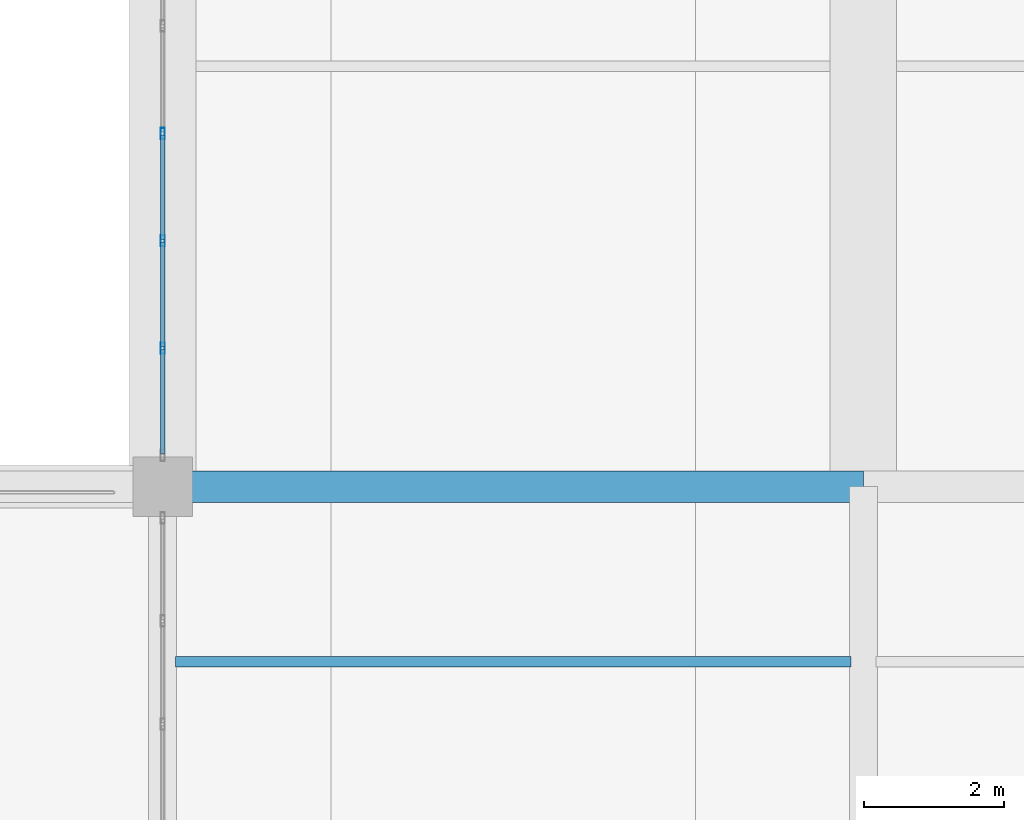
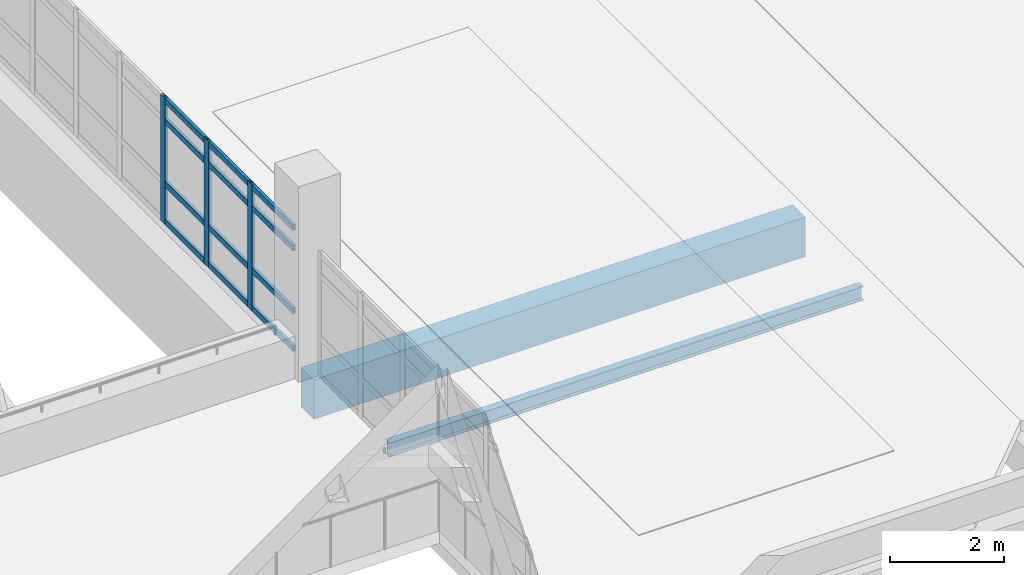
# One storey, part 41 of 161: 16 members, 1 beam, 1 element without a shape of its own.
"""IFC4 building model written with IfcOpenShell, lengths in metres."""

import ifcopenshell
import ifcopenshell.guid

model = None  # the IFC model being written
_history = None  # IfcOwnerHistory: only IFC2X3 demands one
_inside = {}  # id of a spatial element -> (the spatial element, [elements in it])
_under = {}  # id of a project, library or spatial element -> (it, [spatial elements below it])
_declared = {}  # id of a project -> (the project, [libraries it declares])
_typed = {}  # id of a type object -> (the type object, [elements of that type])
_made_of = {}  # id of a material, layer set ... -> (it, [elements and type objects made of it])


def new_model(schema):
    """Start an empty IFC model of exactly this schema.

    Asked for "IFC4X3", IfcOpenShell would pick the latest addendum, in which some entities
    have other attributes; the version numbers below select the first issue.
    IFC2X3 requires an IfcOwnerHistory on every rooted entity: one is made here for all.
    """
    global model, _history
    if schema == "IFC4X3":
        model = ifcopenshell.file(schema_version=(4, 3, 0, 0))
    else:
        model = ifcopenshell.file(schema=schema)
    _inside.clear()
    _under.clear()
    _declared.clear()
    _typed.clear()
    _made_of.clear()
    _history = None
    if model.schema == "IFC2X3":
        org = make("IfcOrganization", Name="unknown")
        user = make(
            "IfcPersonAndOrganization",
            ThePerson=make("IfcPerson", FamilyName="unknown"),
            TheOrganization=org,
        )
        app = make(
            "IfcApplication",
            ApplicationDeveloper=org,
            Version="unknown",
            ApplicationFullName="unknown",
            ApplicationIdentifier="unknown",
        )
        _history = make(
            "IfcOwnerHistory",
            OwningUser=user,
            OwningApplication=app,
            ChangeAction="ADDED",
            CreationDate=0,
        )
    return model


def make(cls, **values):
    """One entity of the class cls with the attributes given. An attribute that is None is left unset."""
    return model.create_entity(
        cls, **{name: value for name, value in values.items() if value is not None}
    )


def rooted(cls, **values):
    """An entity with a GlobalId (a new one), such as an element, a storey or a relation."""
    return make(cls, GlobalId=ifcopenshell.guid.new(), OwnerHistory=_history, **values)


def si_unit(unit_type, name, prefix=None):
    """IfcSIUnit, for example si_unit("LENGTHUNIT", "METRE", prefix="MILLI")."""
    return make("IfcSIUnit", UnitType=unit_type, Prefix=prefix, Name=name)


def assignment(units):
    """IfcUnitAssignment: the units of a project."""
    return None if units is None else make("IfcUnitAssignment", Units=units)


def point(xyz):
    """IfcCartesianPoint."""
    return None if xyz is None else make("IfcCartesianPoint", Coordinates=xyz)


def direction(xyz):
    """IfcDirection."""
    return None if xyz is None else make("IfcDirection", DirectionRatios=xyz)


def frame(location, z_axis=None, x_axis=None):
    """IfcAxis2Placement3D, a coordinate frame: its origin and axes. An axis left out is left unset."""
    return make(
        "IfcAxis2Placement3D",
        Location=point(location),
        Axis=direction(z_axis),
        RefDirection=direction(x_axis),
    )


def frame_2d(location, x_axis=None):
    """IfcAxis2Placement2D, a coordinate frame in the plane: its origin and x axis."""
    return make(
        "IfcAxis2Placement2D", Location=point(location), RefDirection=direction(x_axis)
    )


def origin():
    """The frame at (0, 0, 0) with its axes left unset."""
    return frame((0.0, 0.0, 0.0))


def origin_2d():
    """The frame at (0, 0) in the plane with its x axis left unset."""
    return frame_2d((0.0, 0.0))


def place(relative_to, where):
    """IfcLocalPlacement: puts the frame where relative to a parent placement (None: the world)."""
    return make(
        "IfcLocalPlacement", PlacementRelTo=relative_to, RelativePlacement=where
    )


def context(
    kind, dimensions, precision=None, world=None, true_north=None, identifier=None
):
    """IfcGeometricRepresentationContext, for example the 3D "Model" context."""
    return make(
        "IfcGeometricRepresentationContext",
        ContextIdentifier=identifier,
        ContextType=kind,
        CoordinateSpaceDimension=dimensions,
        Precision=precision,
        WorldCoordinateSystem=world,
        TrueNorth=true_north,
    )


def subcontext(parent, identifier, kind, view, scale=None):
    """IfcGeometricRepresentationSubContext, for example "Body" below "Model"."""
    return make(
        "IfcGeometricRepresentationSubContext",
        ContextIdentifier=identifier,
        ContextType=kind,
        ParentContext=parent,
        TargetScale=scale,
        TargetView=view,
    )


def project(units=None, contexts=None):
    """IfcProject with its units and contexts."""
    return rooted(
        "IfcProject",
        Name="project",
        RepresentationContexts=contexts,
        UnitsInContext=assignment(units),
    )


def spatial(cls, under=None, at=None, **own):
    """A site, building, storey or space (cls), placed at a placement, below another one or the project."""
    s = rooted(cls, ObjectPlacement=at, **own)
    if under is not None:
        _under.setdefault(under.id(), (under, []))[1].append(s)
    return s


def profile(cls, at=None, kind="AREA", **sizes):
    """A parametric profile (cls). Its sizes go by their IFC names, for example OverallWidth=200.0."""
    return make(cls, ProfileType=kind, Position=at, **sizes)


def rectangle(**sizes):
    """IfcRectangleProfileDef."""
    return profile("IfcRectangleProfileDef", **sizes)


def hollow_rectangle(**sizes):
    """IfcRectangleHollowProfileDef."""
    return profile("IfcRectangleHollowProfileDef", **sizes)


def i_section(**sizes):
    """IfcIShapeProfileDef."""
    return profile("IfcIShapeProfileDef", **sizes)


def extrude(swept, where, along, depth):
    """IfcExtrudedAreaSolid: the profile swept, set in the frame where, extruded along a direction by depth."""
    return make(
        "IfcExtrudedAreaSolid",
        SweptArea=swept,
        Position=where,
        ExtrudedDirection=direction(along),
        Depth=depth,
    )


def shape(context_of_items, identifier, shape_type, items):
    """IfcShapeRepresentation: the items that make up one representation, for example the "Body"."""
    return make(
        "IfcShapeRepresentation",
        ContextOfItems=context_of_items,
        RepresentationIdentifier=identifier,
        RepresentationType=shape_type,
        Items=items,
    )


def material(Name=None, Category=None):
    """IfcMaterial."""
    return make("IfcMaterial", Name=Name, Category=Category)


def layer(
    of_material, thickness, ventilated=None, Name=None, Category=None, Priority=None
):
    """IfcMaterialLayer: one layer of a wall or slab, of a material (None: an air gap)."""
    return make(
        "IfcMaterialLayer",
        Material=of_material,
        LayerThickness=thickness,
        IsVentilated=ventilated,
        Name=Name,
        Category=Category,
        Priority=Priority,
    )


def layer_set(layers, Name=None):
    """IfcMaterialLayerSet."""
    return make("IfcMaterialLayerSet", MaterialLayers=layers, LayerSetName=Name)


def material_profile(
    of_material, cross_section, Name=None, Category=None, Priority=None
):
    """IfcMaterialProfile: a cross section and its material."""
    return make(
        "IfcMaterialProfile",
        Name=Name,
        Material=of_material,
        Profile=cross_section,
        Priority=Priority,
        Category=Category,
    )


def profile_set(profiles, Name=None, composite=None):
    """IfcMaterialProfileSet."""
    return make(
        "IfcMaterialProfileSet",
        Name=Name,
        MaterialProfiles=profiles,
        CompositeProfile=composite,
    )


def made_of(thing, what):
    """Note that an element or type object is made of a material, layer set ...; save() writes the relation."""
    if what is not None:
        _made_of.setdefault(what.id(), (what, []))[1].append(thing)
    return thing


def type_object(cls, material=None, **own):
    """A type object (cls), such as IfcWallType, which elements share."""
    return made_of(rooted(cls, **own), material)


def element(
    cls,
    number,
    at=None,
    inside=None,
    cuts=None,
    type_object=None,
    material=None,
    context=None,
    identifier="Body",
    shape_type=None,
    held_by="IfcProductDefinitionShape",
    body=None,
    shapes=None,
    **own,
):
    """One element of the class cls, such as IfcWall. Its Tag is "e" and its number.

    at: its placement. inside: the storey or other place that contains it. cuts: it is an
    opening in that element (IfcRelVoidsElement). A single representation is given by context,
    identifier, shape_type and body (its items); several are given by shapes. held_by: the class
    of the entity that holds the representations. save() writes the other relations.
    """
    e = rooted(cls, Tag="e%d" % number, ObjectPlacement=at, **own)
    if body is not None:
        shapes = [shape(context, identifier, shape_type, body)]
    if shapes is not None:
        e.Representation = make(held_by, Representations=shapes)
    if inside is not None:
        _inside.setdefault(inside.id(), (inside, []))[1].append(e)
    if cuts is not None:
        rooted(
            "IfcRelVoidsElement", RelatingBuildingElement=cuts, RelatedOpeningElement=e
        )
    if type_object is not None:
        _typed.setdefault(type_object.id(), (type_object, []))[1].append(e)
    return made_of(e, material)


def aggregate(whole, parts):
    """IfcRelAggregates: a whole, such as a stair, and the parts it consists of."""
    return rooted("IfcRelAggregates", RelatingObject=whole, RelatedObjects=parts)


def save(model, path):
    """Write the relations noted so far, then the file.

    IfcRelAggregates (storeys below a building ...), IfcRelContainedInSpatialStructure (elements
    in a storey), IfcRelDefinesByType, IfcRelAssociatesMaterial and IfcRelDeclares: one each for
    every whole, place, type object, material and project.
    """
    for whole, parts in _under.values():
        aggregate(whole, parts)
    for where, things in _inside.values():
        rooted(
            "IfcRelContainedInSpatialStructure",
            RelatedElements=things,
            RelatingStructure=where,
        )
    for kind, things in _typed.values():
        rooted("IfcRelDefinesByType", RelatedObjects=things, RelatingType=kind)
    for what, things in _made_of.values():
        rooted("IfcRelAssociatesMaterial", RelatedObjects=things, RelatingMaterial=what)
    for by, libraries in _declared.values():
        rooted("IfcRelDeclares", RelatingContext=by, RelatedDefinitions=libraries)
    model.write(path)


model = new_model("IFC4")

# Units and contexts
model_context = context("Model", 3, precision=1e-05, world=origin(), true_north=direction((0.0, 1.0)))
body_context = subcontext(model_context, "Body", "Model", "MODEL_VIEW")
ifc_project = project(units=[si_unit("LENGTHUNIT", "METRE"), si_unit("AREAUNIT", "SQUARE_METRE"), si_unit("VOLUMEUNIT", "CUBIC_METRE"), si_unit("PLANEANGLEUNIT", "RADIAN"), si_unit("MASSUNIT", "GRAM", prefix="KILO")], contexts=[model_context])

# Site, building, storey
site_placement = place(None, origin())
site = spatial("IfcSite", under=ifc_project, at=site_placement, CompositionType="ELEMENT")
building_placement = place(site_placement, origin())
building = spatial("IfcBuilding", under=site, at=building_placement, Name="Mersad Railyard Sports Hall", CompositionType="ELEMENT")
storey_placement = place(building_placement, frame((0.0, 0.0, 4.800048828125)))
storey = spatial("IfcBuildingStorey", under=building, at=storey_placement, Name="L01", CompositionType="ELEMENT", Elevation=4.800048828125)

# Curtain wall, members
ifc_material_1 = material(Name="Aluminium 6063-T6", Category="aluminium")
ifc_layer = layer(ifc_material_1, 0.159912109375)
ifc_layer_set = layer_set([ifc_layer], Name="Aluminium 6063-T6")
curtain_wall_type = type_object("IfcCurtainWallType", Name="ARC-CW-CW05", PredefinedType="USERDEFINED", material=ifc_layer_set)
curtain_wall_placement = place(storey_placement, origin())
curtain_wall = element("IfcCurtainWall", 1, at=curtain_wall_placement, inside=storey, type_object=curtain_wall_type, Name="Curtain wall CW05-0027", ObjectType="CURTAIN WALL", PredefinedType="USERDEFINED")
ifc_material_profile_1 = material_profile(ifc_material_1, hollow_rectangle(XDim=0.06005859375, YDim=0.159912109375, WallThickness=0.00390625, at=origin_2d()), Name="AL MULLION 60x160x4")
ifc_profile_set_1 = profile_set([ifc_material_profile_1], Name="Aluminium 6063-T6")
member_type_1 = type_object("IfcMemberType", Name="ARC-CW-MUL01", PredefinedType="MULLION", material=ifc_profile_set_1)
member_1_placement = place(storey_placement, frame((91.0, 18.541259765625, -0.02001953125), z_axis=(0.0, 0.0, 1.0), x_axis=(1.0, 0.0, 0.0)))
member_1 = element("IfcMember", 2, at=member_1_placement, type_object=member_type_1, Name="CW05 Mullion 17", PredefinedType="MULLION", context=body_context, shape_type="SweptSolid", body=[
    extrude(hollow_rectangle(XDim=0.06005859375, YDim=0.159912109375, WallThickness=0.00390625, at=origin_2d()), origin(), (0.0, 0.0, 1.0), 2.719970703125),
])
member_2_placement = place(storey_placement, frame((91.0, 17.00927734375, -0.02001953125), z_axis=(0.0, 0.0, 1.0), x_axis=(1.0, 0.0, 0.0)))
member_2 = element("IfcMember", 3, at=member_2_placement, type_object=member_type_1, Name="CW05 Mullion 18", PredefinedType="MULLION", context=body_context, shape_type="SweptSolid", body=[
    extrude(hollow_rectangle(XDim=0.06005859375, YDim=0.159912109375, WallThickness=0.00390625, at=origin_2d()), origin(), (0.0, 0.0, 1.0), 2.719970703125),
])
member_3_placement = place(storey_placement, frame((91.0, 15.47705078125, -0.02001953125), z_axis=(0.0, 0.0, 1.0), x_axis=(1.0, 0.0, 0.0)))
member_3 = element("IfcMember", 4, at=member_3_placement, type_object=member_type_1, Name="CW05 Mullion 19", PredefinedType="MULLION", context=body_context, shape_type="SweptSolid", body=[
    extrude(hollow_rectangle(XDim=0.06005859375, YDim=0.159912109375, WallThickness=0.00390625, at=origin_2d()), origin(), (0.0, 0.0, 1.0), 2.719970703125),
])
ifc_material_profile_2 = material_profile(ifc_material_1, hollow_rectangle(XDim=0.06005859375, YDim=0.1201171875, WallThickness=0.00390625, at=origin_2d()), Name="AL TRANSOM 60x120x4")
ifc_profile_set_2 = profile_set([ifc_material_profile_2], Name="Aluminium 6063-T6")
member_type_2 = type_object("IfcMemberType", Name="ARC-CW-TRN01", PredefinedType="USERDEFINED", material=ifc_profile_set_2)
member_4_placement = place(storey_placement, frame((91.0, 18.521240234375, 0.0400390625), z_axis=(0.0, -1.0, 0.0), x_axis=(1.0, 0.0, 0.0)))
member_4 = element("IfcMember", 5, at=member_4_placement, type_object=member_type_2, Name="CW05 Transom 1-17", ObjectType="TRANSOM", PredefinedType="USERDEFINED", context=body_context, shape_type="SweptSolid", body=[
    extrude(hollow_rectangle(XDim=0.06005859375, YDim=0.1201171875, WallThickness=0.00390625, at=origin_2d()), origin(), (0.0, 0.0, 1.0), 1.491943359375),
])
member_5_placement = place(storey_placement, frame((91.0, 16.9892578125, 0.0400390625), z_axis=(0.0, -1.0, 0.0), x_axis=(1.0, 0.0, 0.0)))
member_5 = element("IfcMember", 6, at=member_5_placement, type_object=member_type_2, Name="CW05 Transom 1-18", ObjectType="TRANSOM", PredefinedType="USERDEFINED", context=body_context, shape_type="SweptSolid", body=[
    extrude(hollow_rectangle(XDim=0.06005859375, YDim=0.1201171875, WallThickness=0.00390625, at=origin_2d()), origin(), (0.0, 0.0, 1.0), 1.4921875),
])
member_6_placement = place(storey_placement, frame((91.0, 15.45703125, 0.0400390625), z_axis=(0.0, -1.0, 0.0), x_axis=(1.0, 0.0, 0.0)))
member_6 = element("IfcMember", 7, at=member_6_placement, type_object=member_type_2, Name="CW05 Transom 1-19", ObjectType="TRANSOM", PredefinedType="USERDEFINED", context=body_context, shape_type="SweptSolid", body=[
    extrude(hollow_rectangle(XDim=0.06005859375, YDim=0.1201171875, WallThickness=0.00390625, at=origin_2d()), origin(), (0.0, 0.0, 1.0), 1.491943359375),
])
member_7_placement = place(storey_placement, frame((91.0, 18.521240234375, 0.849853515625), z_axis=(0.0, -1.0, 0.0), x_axis=(1.0, 0.0, 0.0)))
member_7 = element("IfcMember", 8, at=member_7_placement, type_object=member_type_2, Name="CW05 Transom 2-17", ObjectType="TRANSOM", PredefinedType="USERDEFINED", context=body_context, shape_type="SweptSolid", body=[
    extrude(hollow_rectangle(XDim=0.06005859375, YDim=0.1201171875, WallThickness=0.00390625, at=origin_2d()), origin(), (0.0, 0.0, 1.0), 1.491943359375),
])
member_8_placement = place(storey_placement, frame((91.0, 16.9892578125, 0.849853515625), z_axis=(0.0, -1.0, 0.0), x_axis=(1.0, 0.0, 0.0)))
member_8 = element("IfcMember", 9, at=member_8_placement, type_object=member_type_2, Name="CW05 Transom 2-18", ObjectType="TRANSOM", PredefinedType="USERDEFINED", context=body_context, shape_type="SweptSolid", body=[
    extrude(hollow_rectangle(XDim=0.06005859375, YDim=0.1201171875, WallThickness=0.00390625, at=origin_2d()), origin(), (0.0, 0.0, 1.0), 1.4921875),
])
member_9_placement = place(storey_placement, frame((91.0, 15.45703125, 0.849853515625), z_axis=(0.0, -1.0, 0.0), x_axis=(1.0, 0.0, 0.0)))
member_9 = element("IfcMember", 10, at=member_9_placement, type_object=member_type_2, Name="CW05 Transom 2-19", ObjectType="TRANSOM", PredefinedType="USERDEFINED", context=body_context, shape_type="SweptSolid", body=[
    extrude(hollow_rectangle(XDim=0.06005859375, YDim=0.1201171875, WallThickness=0.00390625, at=origin_2d()), origin(), (0.0, 0.0, 1.0), 1.491943359375),
])
member_10_placement = place(storey_placement, frame((91.0, 18.521240234375, 2.199951171875), z_axis=(0.0, -1.0, 0.0), x_axis=(1.0, 0.0, 0.0)))
member_10 = element("IfcMember", 11, at=member_10_placement, type_object=member_type_2, Name="CW05 Transom 3-17", ObjectType="TRANSOM", PredefinedType="USERDEFINED", context=body_context, shape_type="SweptSolid", body=[
    extrude(hollow_rectangle(XDim=0.06005859375, YDim=0.1201171875, WallThickness=0.00390625, at=origin_2d()), origin(), (0.0, 0.0, 1.0), 1.491943359375),
])
member_11_placement = place(storey_placement, frame((91.0, 16.9892578125, 2.199951171875), z_axis=(0.0, -1.0, 0.0), x_axis=(1.0, 0.0, 0.0)))
member_11 = element("IfcMember", 12, at=member_11_placement, type_object=member_type_2, Name="CW05 Transom 3-18", ObjectType="TRANSOM", PredefinedType="USERDEFINED", context=body_context, shape_type="SweptSolid", body=[
    extrude(hollow_rectangle(XDim=0.06005859375, YDim=0.1201171875, WallThickness=0.00390625, at=origin_2d()), origin(), (0.0, 0.0, 1.0), 1.4921875),
])
member_12_placement = place(storey_placement, frame((91.0, 15.45703125, 2.199951171875), z_axis=(0.0, -1.0, 0.0), x_axis=(1.0, 0.0, 0.0)))
member_12 = element("IfcMember", 13, at=member_12_placement, type_object=member_type_2, Name="CW05 Transom 3-19", ObjectType="TRANSOM", PredefinedType="USERDEFINED", context=body_context, shape_type="SweptSolid", body=[
    extrude(hollow_rectangle(XDim=0.06005859375, YDim=0.1201171875, WallThickness=0.00390625, at=origin_2d()), origin(), (0.0, 0.0, 1.0), 1.491943359375),
])
member_13_placement = place(storey_placement, frame((91.0, 18.521240234375, 2.639892578125), z_axis=(0.0, -1.0, 0.0), x_axis=(1.0, 0.0, 0.0)))
member_13 = element("IfcMember", 14, at=member_13_placement, type_object=member_type_2, Name="CW05 Transom 4-17", ObjectType="TRANSOM", PredefinedType="USERDEFINED", context=body_context, shape_type="SweptSolid", body=[
    extrude(hollow_rectangle(XDim=0.06005859375, YDim=0.1201171875, WallThickness=0.00390625, at=origin_2d()), origin(), (0.0, 0.0, 1.0), 1.491943359375),
])
member_14_placement = place(storey_placement, frame((91.0, 16.9892578125, 2.639892578125), z_axis=(0.0, -1.0, 0.0), x_axis=(1.0, 0.0, 0.0)))
member_14 = element("IfcMember", 15, at=member_14_placement, type_object=member_type_2, Name="CW05 Transom 4-18", ObjectType="TRANSOM", PredefinedType="USERDEFINED", context=body_context, shape_type="SweptSolid", body=[
    extrude(hollow_rectangle(XDim=0.06005859375, YDim=0.1201171875, WallThickness=0.00390625, at=origin_2d()), origin(), (0.0, 0.0, 1.0), 1.4921875),
])
member_15_placement = place(storey_placement, frame((91.0, 15.45703125, 2.639892578125), z_axis=(0.0, -1.0, 0.0), x_axis=(1.0, 0.0, 0.0)))
member_15 = element("IfcMember", 16, at=member_15_placement, type_object=member_type_2, Name="CW05 Transom 4-19", ObjectType="TRANSOM", PredefinedType="USERDEFINED", context=body_context, shape_type="SweptSolid", body=[
    extrude(hollow_rectangle(XDim=0.06005859375, YDim=0.1201171875, WallThickness=0.00390625, at=origin_2d()), origin(), (0.0, 0.0, 1.0), 1.491943359375),
])
aggregate(curtain_wall, [member_1, member_2, member_3, member_4, member_5, member_6, member_7, member_8, member_9, member_10, member_11, member_12, member_13, member_14, member_15])

# Beam
ifc_material_2 = material(Name="Concrete C40/50", Category="concrete")
ifc_material_profile_3 = material_profile(ifc_material_2, rectangle(XDim=0.449951171875, YDim=0.85009765625, at=origin_2d()), Name="RC 450x850")
ifc_profile_set_3 = profile_set([ifc_material_profile_3], Name="Concrete C40/50")
beam_type = type_object("IfcBeamType", Name="STR-BM-B02", PredefinedType="BEAM", material=ifc_profile_set_3)
beam_placement = place(storey_placement, frame((91.0, 13.5, -0.64501953125), z_axis=(1.0, 0.0, 0.0), x_axis=(0.0, 1.0, 0.0)))
element("IfcBeam", 17, at=beam_placement, inside=storey, type_object=beam_type, Name="Beam B02-0593", PredefinedType="BEAM", context=body_context, shape_type="SweptSolid", body=[
    extrude(rectangle(XDim=0.449951171875, YDim=0.85009765625, at=origin_2d()), origin(), (0.0, 0.0, 1.0), 10.0),
])

# Member
ifc_material_3 = material(Name="Steel S355", Category="steel")
ifc_material_profile_4 = material_profile(ifc_material_3, i_section(OverallWidth=0.14990234375, OverallDepth=0.300048828125, WebThickness=0.007080078125, FlangeThickness=0.0107421875, at=origin_2d()), Name="IPE 300")
ifc_profile_set_4 = profile_set([ifc_material_profile_4], Name="Steel S355")
member_type_3 = type_object("IfcMemberType", Name="STR-MEM-PU02", PredefinedType="PURLIN", material=ifc_profile_set_4)
member_16_placement = place(storey_placement, frame((91.179931640625, 11.0, -0.3701171875), z_axis=(1.0, 0.0, 0.0), x_axis=(0.0, 1.0, 0.0)))
element("IfcMember", 18, at=member_16_placement, inside=storey, type_object=member_type_3, Name="Structural member PU02-0374", PredefinedType="PURLIN", context=body_context, shape_type="SweptSolid", body=[
    extrude(i_section(OverallWidth=0.14990234375, OverallDepth=0.300048828125, WebThickness=0.007080078125, FlangeThickness=0.0107421875, at=origin_2d()), origin(), (0.0, 0.0, 1.0), 9.64013671875),
])

save(model, "model.ifc")
